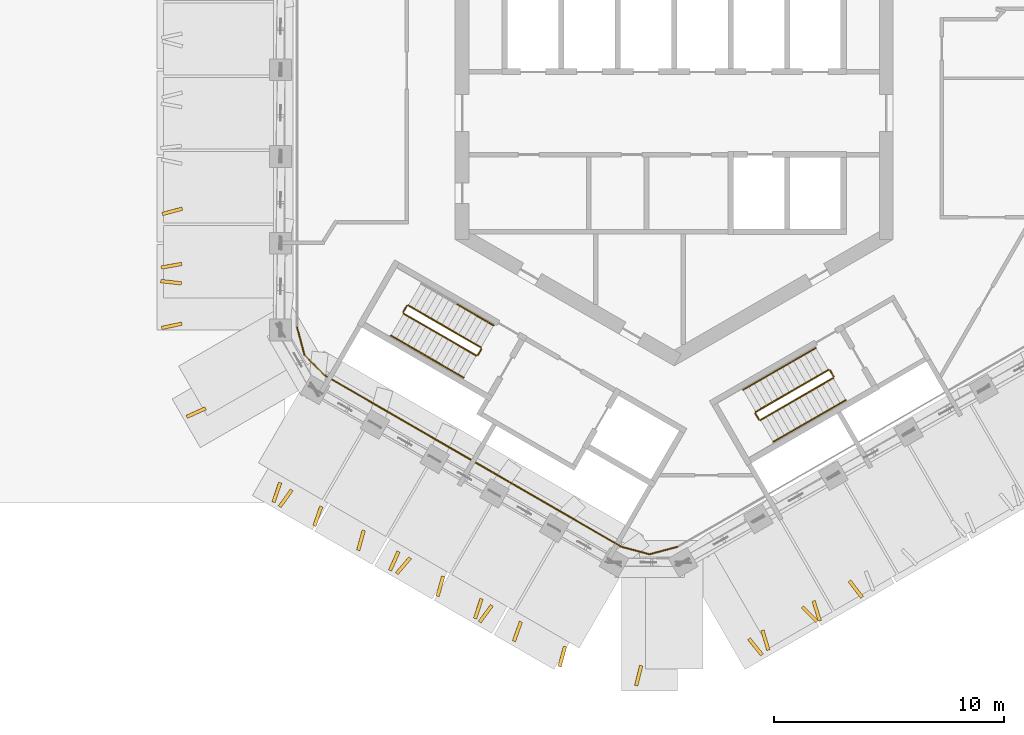
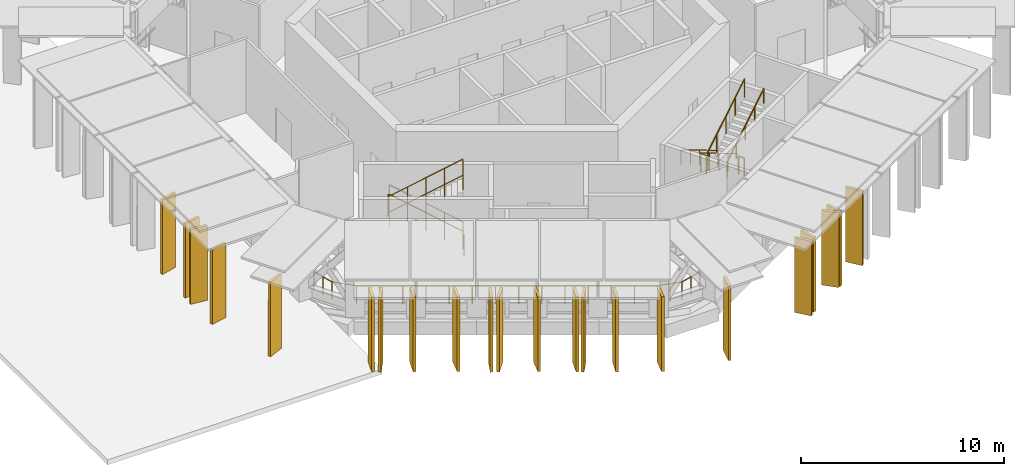
# One storey, part 13 of 15: 22 shading devices, 18 railings.
"""IFC4 building model written with IfcOpenShell, lengths in metres."""

from ifc_helpers import new_model, si_unit, direction, frame, origin, origin_2d, place, context, subcontext, project, spatial, polyline, circle, outline, extrude, material, layer, layer_set, type_object, element, save


model = new_model("IFC4")

# Units and contexts
model_context = context("Model", 3, precision=1e-05, world=origin(), true_north=direction((0.0, 1.0)))
body_context = subcontext(model_context, "Body", "Model", "MODEL_VIEW")
ifc_project = project(units=[si_unit("LENGTHUNIT", "METRE"), si_unit("AREAUNIT", "SQUARE_METRE"), si_unit("VOLUMEUNIT", "CUBIC_METRE"), si_unit("PLANEANGLEUNIT", "RADIAN"), si_unit("MASSUNIT", "GRAM", prefix="KILO")], contexts=[model_context])

# Site, building, storey
site_placement = place(None, origin())
site = spatial("IfcSite", under=ifc_project, at=site_placement, CompositionType="ELEMENT")
building_placement = place(site_placement, origin())
building = spatial("IfcBuilding", under=site, at=building_placement, Name="Ayvan Gate Tower", CompositionType="ELEMENT")
storey_placement = place(building_placement, frame((0.0, 0.0, 214.10009765625)))
storey = spatial("IfcBuildingStorey", under=building, at=storey_placement, Name="L57", CompositionType="ELEMENT", Elevation=214.10009765625)

# Shading devices
ifc_material_1 = material(Name="Bronze anodised aluminium", Category="aluminium")
ifc_layer = layer(ifc_material_1, 0.14990234375)
ifc_layer_set = layer_set([ifc_layer], Name="Bronze anodised aluminium")
shading_device_type = type_object("IfcShadingDeviceType", Name="Bronze fin 900 x 150", PredefinedType="USERDEFINED", material=ifc_layer_set)
shading_device_1_placement = place(storey_placement, frame((-21.359130859375, -4.074462890625, 0.0), z_axis=(-0.255534637969, 0.96679984047, 0.000342440773), x_axis=(-0.966799897156, -0.255534652952, 0.0)))
element("IfcShadingDevice", 1, at=shading_device_1_placement, inside=storey, type_object=shading_device_type, Name="Bronze fin FG21.3.27", ObjectType="FIN", PredefinedType="USERDEFINED", context=body_context, shape_type="SweptSolid", body=[
    extrude(outline(polyline([(0.0, 0.0), (0.8999971866563695, 0.0), (0.8998994347333715, 4.500000263847809), (-9.77519229980295e-05, 4.500000263847809), (0.0, 0.0)])), origin(), (0.0, 0.0, -1.0), 0.14990234375),
])
shading_device_2_placement = place(storey_placement, frame((-21.3798828125, -6.469970703125, 0.0), z_axis=(-0.174706061813, 0.984620576629, 0.000334732126), x_axis=(-0.98462063179, -0.174706071597, -7.931e-09)))
element("IfcShadingDevice", 2, at=shading_device_2_placement, inside=storey, type_object=shading_device_type, Name="Bronze fin FG21.3.29", ObjectType="FIN", PredefinedType="USERDEFINED", context=body_context, shape_type="SweptSolid", body=[
    extrude(outline(polyline([(0.0, 0.0), (0.9000692391375203, 6.776263578034403e-21), (0.8998443487512708, 4.50000025923947), (1.549551018370991e-05, 4.500000244964097), (0.0, 0.0)])), origin(), (0.0, 0.0, -1.0), 0.14990234375),
])
shading_device_3_placement = place(storey_placement, frame((-21.3720703125, -7.3125, 0.0), z_axis=(0.111488384301, 0.993765683425, 0.000326515749), x_axis=(-0.993765736399, 0.111488390243, 4.937e-09)))
element("IfcShadingDevice", 3, at=shading_device_3_placement, inside=storey, type_object=shading_device_type, Name="Bronze fin FG21.3.30", ObjectType="FIN", PredefinedType="USERDEFINED", context=body_context, shape_type="SweptSolid", body=[
    extrude(outline(polyline([(0.0, 0.0), (0.9001414517960219, 6.776263578034403e-21), (0.8999781609393387, 4.500000235435338), (7.932773130498417e-05, 4.500000244321522), (0.0, 0.0)])), origin(), (0.0, 0.0, -1.0), 0.14990234375),
])
shading_device_4_placement = place(storey_placement, frame((-21.373046875, -9.062255859375, 0.0), z_axis=(-0.206434260398, 0.978460416893, 0.000329709026), x_axis=(-0.978460470076, -0.206434271618, 0.0)))
element("IfcShadingDevice", 4, at=shading_device_4_placement, inside=storey, type_object=shading_device_type, Name="Bronze fin FG21.3.31", ObjectType="FIN", PredefinedType="USERDEFINED", context=body_context, shape_type="SweptSolid", body=[
    extrude(outline(polyline([(0.0, 0.0), (0.9000008291664543, -6.776263578034403e-21), (0.9000643411683182, 4.500000244593115), (6.351200186397581e-05, 4.500000244593115), (0.0, 0.0)])), origin(), (0.0, 0.0, -1.0), 0.14990234375),
])
shading_device_5_placement = place(storey_placement, frame((-20.35791015625, -12.7373046875, 0.0), z_axis=(-0.41381314239, 0.910361786864, 0.000316548183), x_axis=(-0.910361832469, -0.413813163134, 3.9083e-08)))
element("IfcShadingDevice", 5, at=shading_device_5_placement, inside=storey, type_object=shading_device_type, Name="Bronze fin FG21.4.32", ObjectType="FIN", PredefinedType="USERDEFINED", context=body_context, shape_type="SweptSolid", body=[
    extrude(outline(polyline([(0.0, 0.0), (0.9000618156029707, 0.0), (0.9001226218858508, 4.500000190276422), (0.00016183488716076374, 4.500000260627304), (0.0, 0.0)])), origin(), (0.0, 0.0, -1.0), 0.14990234375),
])
shading_device_6_placement = place(storey_placement, frame((-17.16748046875, -16.007568359375, 0.0), z_axis=(-0.94775694843, 0.318993180124, 0.000343127607), x_axis=(-0.318993198903, -0.947757004223, 0.0)))
element("IfcShadingDevice", 6, at=shading_device_6_placement, inside=storey, type_object=shading_device_type, Name="Bronze fin FG21.5.33", ObjectType="FIN", PredefinedType="USERDEFINED", context=body_context, shape_type="SweptSolid", body=[
    extrude(outline(polyline([(0.0, 0.0), (0.9000485777990384, 0.0), (0.9000440745800513, 4.500000264907272), (-4.503218986955051e-06, 4.500000264907272), (0.0, 0.0)])), origin(), (0.0, 0.0, -1.0), 0.14990234375),
])
shading_device_7_placement = place(storey_placement, frame((-16.654052734375, -16.30419921875, 0.0), z_axis=(-0.812659699148, 0.582738452268, 0.000331102598), x_axis=(-0.582738484204, -0.812659743698, 2.617e-08)))
element("IfcShadingDevice", 7, at=shading_device_7_placement, inside=storey, type_object=shading_device_type, Name="Bronze fin FG21.5.34", ObjectType="FIN", PredefinedType="USERDEFINED", context=body_context, shape_type="SweptSolid", body=[
    extrude(outline(polyline([(0.0, 0.0), (0.9000124160620114, 2.710505431213761e-20), (0.8998963929099021, 4.500000223115144), (8.238010562957443e-05, 4.500000270215964), (0.0, 0.0)])), origin(), (0.0, 0.0, -1.0), 0.14990234375),
])
shading_device_8_placement = place(storey_placement, frame((-15.384521484375, -17.039794921875, 0.0), z_axis=(-0.944309943833, 0.329057156527, 0.000343097546), x_axis=(-0.329057175894, -0.944309999414, 0.0)))
element("IfcShadingDevice", 8, at=shading_device_8_placement, inside=storey, type_object=shading_device_type, Name="Bronze fin FG21.5.35", ObjectType="FIN", PredefinedType="USERDEFINED", context=body_context, shape_type="SweptSolid", body=[
    extrude(outline(polyline([(0.0, 0.0), (0.8999730132613388, 1.3552527156068805e-20), (0.8999520847807383, 4.5000002648608595), (-2.092848060051113e-05, 4.5000002648608595), (0.0, 0.0)])), origin(), (0.0, 0.0, -1.0), 0.14990234375),
])
shading_device_9_placement = place(storey_placement, frame((-13.5439453125, -18.08251953125, 0.0), z_axis=(-0.964160238835, 0.265320403371, 0.000342643351), x_axis=(-0.265320418946, -0.964160295433, 0.0)))
element("IfcShadingDevice", 9, at=shading_device_9_placement, inside=storey, type_object=shading_device_type, Name="Bronze fin FG21.5.37", ObjectType="FIN", PredefinedType="USERDEFINED", context=body_context, shape_type="SweptSolid", body=[
    extrude(outline(polyline([(0.0, 0.0), (0.8999289696532402, 1.3552527156068805e-20), (0.9000110980900544, 4.500000264160072), (8.212843681425569e-05, 4.500000264160072), (0.0, 0.0)])), origin(), (0.0, 0.0, -1.0), 0.14990234375),
])
shading_device_10_placement = place(storey_placement, frame((-12.029296875, -18.9912109375, 0.0), z_axis=(-0.911888452753, 0.410437967876, 0.000352507901), x_axis=(-0.410437993383, -0.911888509406, -1.9627e-08)))
element("IfcShadingDevice", 10, at=shading_device_10_placement, inside=storey, type_object=shading_device_type, Name="Bronze fin FG21.5.39", ObjectType="FIN", PredefinedType="USERDEFINED", context=body_context, shape_type="SweptSolid", body=[
    extrude(outline(polyline([(0.0, 0.0), (0.8998657138925685, 1.3552527156068805e-20), (0.8999322851346038, 4.500000297251885), (-0.00015605778858149638, 4.5000002619246064), (0.0, 0.0)])), origin(), (0.0, 0.0, -1.0), 0.14990234375),
])
shading_device_11_placement = place(storey_placement, frame((-11.511474609375, -19.24560546875, 0.0), z_axis=(-0.760652675022, 0.649159005466, 0.000305948715), x_axis=(-0.649159035848, -0.760652710622, 0.0)))
element("IfcShadingDevice", 11, at=shading_device_11_placement, inside=storey, type_object=shading_device_type, Name="Bronze fin FG21.5.40", ObjectType="FIN", PredefinedType="USERDEFINED", context=body_context, shape_type="SweptSolid", body=[
    extrude(outline(polyline([(0.0, 0.0), (0.8999774837326424, 0.0), (0.9000863642744136, 4.500000210610401), (0.00010888054177125644, 4.500000210610401), (0.0, 0.0)])), origin(), (0.0, 0.0, -1.0), 0.14990234375),
])
shading_device_12_placement = place(storey_placement, frame((-10.09521484375, -20.07568359375, 0.0), z_axis=(-0.962581258351, 0.270993004676, 0.000335393721), x_axis=(-0.270993019914, -0.962581312492, 1.2326e-08)))
element("IfcShadingDevice", 12, at=shading_device_12_placement, inside=storey, type_object=shading_device_type, Name="Bronze fin FG21.5.41", ObjectType="FIN", PredefinedType="USERDEFINED", context=body_context, shape_type="SweptSolid", body=[
    extrude(outline(polyline([(0.0, 0.0), (0.9001277111636908, -1.3552527156068805e-20), (0.899965809402009, 4.500000242007258), (7.310344156306313e-05, 4.500000264194146), (0.0, 0.0)])), origin(), (0.0, 0.0, -1.0), 0.14990234375),
])
shading_device_13_placement = place(storey_placement, frame((-8.430419921875, -21.050537109375, 0.0), z_axis=(-0.949345697488, 0.314233425869, 0.000317375661), x_axis=(-0.314233441682, -0.949345745305, 4.0864e-08)))
element("IfcShadingDevice", 13, at=shading_device_13_placement, inside=storey, type_object=shading_device_type, Name="Bronze fin FG21.5.43", ObjectType="FIN", PredefinedType="USERDEFINED", context=body_context, shape_type="SweptSolid", body=[
    extrude(outline(polyline([(0.0, 0.0), (0.9000469809656285, 1.3552527156068805e-20), (0.9001271268374368, 4.500000189853503), (3.4287229599951886e-06, 4.500000263416021), (0.0, 0.0)])), origin(), (0.0, 0.0, -1.0), 0.14990234375),
])
shading_device_14_placement = place(storey_placement, frame((-7.97119140625, -21.314453125, 0.0), z_axis=(-0.806383389765, 0.591393032696, 0.000331043433), x_axis=(-0.591393065094, -0.806383433956, 2.6552e-08)))
element("IfcShadingDevice", 14, at=shading_device_14_placement, inside=storey, type_object=shading_device_type, Name="Bronze fin FG21.5.44", ObjectType="FIN", PredefinedType="USERDEFINED", context=body_context, shape_type="SweptSolid", body=[
    extrude(outline(polyline([(0.0, 0.0), (0.9000524489883313, 0.0), (0.8999212659780351, 4.500000222681919), (6.56879452595283e-05, 4.500000270473759), (0.0, 0.0)])), origin(), (0.0, 0.0, -1.0), 0.14990234375),
])
shading_device_15_placement = place(storey_placement, frame((-6.721435546875, -22.043701171875, 0.0), z_axis=(-0.940669337866, 0.339324492985, 0.000291991953), x_axis=(-0.33932450745, -0.940669377967, 0.0)))
element("IfcShadingDevice", 15, at=shading_device_15_placement, inside=storey, type_object=shading_device_type, Name="Bronze fin FG21.5.45", ObjectType="FIN", PredefinedType="USERDEFINED", context=body_context, shape_type="SweptSolid", body=[
    extrude(outline(polyline([(0.0, 0.0), (0.9000821195331172, 0.0), (0.9001272162661944, 4.50000019183344), (4.509673307708403e-05, 4.50000019183344), (0.0, 0.0)])), origin(), (0.0, 0.0, -1.0), 0.14990234375),
])
shading_device_16_placement = place(storey_placement, frame((-4.811279296875, -23.123779296875, 0.0), z_axis=(-0.964613369039, 0.263668221233, 0.000342611581), x_axis=(-0.263668236708, -0.964613425654, 0.0)))
element("IfcShadingDevice", 16, at=shading_device_16_placement, inside=storey, type_object=shading_device_type, Name="Bronze fin FG21.5.47", ObjectType="FIN", PredefinedType="USERDEFINED", context=body_context, shape_type="SweptSolid", body=[
    extrude(outline(polyline([(0.0, 0.0), (0.9000124188731934, 0.0), (0.9000971887538225, 4.500000264111088), (8.476988062900207e-05, 4.500000264111088), (0.0, 0.0)])), origin(), (0.0, 0.0, -1.0), 0.14990234375),
])
shading_device_17_placement = place(storey_placement, frame((-1.505859375, -23.951416015625, 0.0), z_axis=(-0.970548018341, 0.240907516502, 0.000335538704), x_axis=(-0.240907530067, -0.970548072976, -1.0966e-08)))
element("IfcShadingDevice", 17, at=shading_device_17_placement, inside=storey, type_object=shading_device_type, Name="Bronze fin FG21.6.48", ObjectType="FIN", PredefinedType="USERDEFINED", context=body_context, shape_type="SweptSolid", body=[
    extrude(outline(polyline([(0.0, 0.0), (0.8997989120444077, -1.3552527156068805e-20), (0.8999198712328588, 4.500000263187755), (-0.00011599102467772165, 4.5000002434503426), (0.0, 0.0)])), origin(), (0.0, 0.0, -1.0), 0.14990234375),
])
shading_device_18_placement = place(storey_placement, frame((3.183837890625, -22.853271484375, 0.0), z_axis=(-0.778613942845, -0.627503153241, 0.000347389449), x_axis=(0.627503191104, -0.778613989827, 0.0)))
element("IfcShadingDevice", 18, at=shading_device_18_placement, inside=storey, type_object=shading_device_type, Name="Bronze fin FG21.7.49", ObjectType="FIN", PredefinedType="USERDEFINED", context=body_context, shape_type="SweptSolid", body=[
    extrude(outline(polyline([(0.0, 0.0), (0.8999113847233887, -2.710505431213761e-20), (0.899917014605277, 4.500000271528742), (5.629881888276843e-06, 4.500000271528742), (0.0, 0.0)])), origin(), (0.0, 0.0, -1.0), 0.14990234375),
])
shading_device_19_placement = place(storey_placement, frame((3.756591796875, -22.461669921875, 0.0), z_axis=(-0.958975757064, -0.283487882923, 0.000342926992), x_axis=(0.283487899592, -0.958975813452, 0.0)))
element("IfcShadingDevice", 19, at=shading_device_19_placement, inside=storey, type_object=shading_device_type, Name="Bronze fin FG21.7.50", ObjectType="FIN", PredefinedType="USERDEFINED", context=body_context, shape_type="SweptSolid", body=[
    extrude(outline(polyline([(0.0, 0.0), (0.8999571180724123, 1.3552527156068805e-20), (0.899904133641418, 4.500000264597597), (-5.2984430994273026e-05, 4.500000264597597), (0.0, 0.0)])), origin(), (0.0, 0.0, -1.0), 0.14990234375),
])
shading_device_20_placement = place(storey_placement, frame((5.511962890625, -21.47998046875, 0.0), z_axis=(-0.707445737129, -0.706767587458, 0.000326094627), x_axis=(0.706767625028, -0.70744577475, -3.1292e-08)))
element("IfcShadingDevice", 20, at=shading_device_20_placement, inside=storey, type_object=shading_device_type, Name="Bronze fin FG21.7.51", ObjectType="FIN", PredefinedType="USERDEFINED", context=body_context, shape_type="SweptSolid", body=[
    extrude(outline(polyline([(0.0, 0.0), (0.8999385360710794, 0.0), (0.9001102836909809, 4.500000267426156), (-8.030698026680217e-07, 4.500000211098914), (0.0, 0.0)])), origin(), (0.0, 0.0, -1.0), 0.14990234375),
])
shading_device_21_placement = place(storey_placement, frame((5.97412109375, -21.1884765625, 0.0), z_axis=(-0.954610157706, -0.29785790087, 0.000343065145), x_axis=(0.297857918398, -0.954610213882, 0.0)))
element("IfcShadingDevice", 21, at=shading_device_21_placement, inside=storey, type_object=shading_device_type, Name="Bronze fin FG21.7.52", ObjectType="FIN", PredefinedType="USERDEFINED", context=body_context, shape_type="SweptSolid", body=[
    extrude(outline(polyline([(0.0, 0.0), (0.8999807951785506, 1.3552527156068805e-20), (0.8999509922202068, 4.500000264810835), (-2.980295834379939e-05, 4.500000264810835), (0.0, 0.0)])), origin(), (0.0, 0.0, -1.0), 0.14990234375),
])
shading_device_22_placement = place(storey_placement, frame((7.541015625, -20.34130859375, 0.0), z_axis=(-0.792598736895, -0.609743508873, 0.00030928801), x_axis=(0.609743538022, -0.792598774816, -5.8833e-08)))
element("IfcShadingDevice", 22, at=shading_device_22_placement, inside=storey, type_object=shading_device_type, Name="Bronze fin FG21.7.53", ObjectType="FIN", PredefinedType="USERDEFINED", context=body_context, shape_type="SweptSolid", body=[
    extrude(outline(polyline([(0.0, 0.0), (0.8999187866086098, 2.710505431213761e-20), (0.8998888154596564, 4.5000002681764455), (1.4671242841917172e-05, 4.500000162288529), (0.0, 0.0)])), origin(), (0.0, 0.0, -1.0), 0.14990234375),
])

# Railings
ifc_material_2 = material(Name="Stainless steel balustrade", Category="steel")
railing_type_1 = type_object("IfcRailingType", Name="RL-GUARD-1100", PredefinedType="GUARDRAIL", material=ifc_material_2)
railing_1_placement = place(storey_placement, frame((-8.381103515625, -10.16650390625, 0.17138671875)))
element("IfcRailing", 23, at=railing_1_placement, inside=storey, type_object=railing_type_1, Name="L57 STS2 stair guard 1", PredefinedType="GUARDRAIL", context=body_context, shape_type="SweptSolid", body=[
    extrude(circle(Radius=0.02392578125, at=origin_2d()), frame((0.0, 0.0, 1.076171875), z_axis=(-0.738592093898, 0.426440834883, 0.522139764025), x_axis=(-0.500012742938, -0.866018046521, 0.0)), (0.0, 0.0, 1.0), 4.26806640625),
    extrude(circle(Radius=0.02099609375, at=origin_2d()), origin(), (0.0, 0.0, 1.0), 1.052001953125),
    extrude(circle(Radius=0.02099609375, at=origin_2d()), frame((-0.7880859375, 0.455078125, 0.55712890625)), (0.0, 0.0, 1.0), 1.052001953125),
    extrude(circle(Radius=0.02099609375, at=origin_2d()), frame((-1.576171875, 0.91015625, 1.1142578125)), (0.0, 0.0, 1.0), 1.052001953125),
    extrude(circle(Radius=0.02099609375, at=origin_2d()), frame((-2.3642578125, 1.364990234375, 1.67138671875)), (0.0, 0.0, 1.0), 1.052001953125),
    extrude(circle(Radius=0.02099609375, at=origin_2d()), frame((-3.15234375, 1.820068359375, 2.228515625)), (0.0, 0.0, 1.0), 1.052001953125),
])
railing_2_placement = place(storey_placement, frame((-11.601806640625, -8.36474609375, 2.39990234375)))
element("IfcRailing", 24, at=railing_2_placement, inside=storey, type_object=railing_type_1, Name="L57 STS2 stair guard 2", PredefinedType="GUARDRAIL", context=body_context, shape_type="SweptSolid", body=[
    extrude(circle(Radius=0.02392578125, at=origin_2d()), frame((0.0, 0.0, 1.076171875), z_axis=(-0.499949632511, -0.866054481515, 0.0), x_axis=(0.866054481515, -0.499949632511, 0.0)), (0.0, 0.0, 1.0), 0.31005859375),
    extrude(circle(Radius=0.02099609375, at=origin_2d()), origin(), (0.0, 0.0, 1.0), 1.052001953125),
    extrude(circle(Radius=0.02099609375, at=origin_2d()), frame((-0.155029296875, -0.2685546875, 0.0)), (0.0, 0.0, 1.0), 1.052001953125),
])
railing_3_placement = place(storey_placement, frame((-11.738525390625, -8.70166015625, 2.5712890625)))
element("IfcRailing", 25, at=railing_3_placement, inside=storey, type_object=railing_type_1, Name="L57 STS2 stair guard 3", PredefinedType="GUARDRAIL", context=body_context, shape_type="SweptSolid", body=[
    extrude(circle(Radius=0.02392578125, at=origin_2d()), frame((0.0, 0.0, 1.076171875), z_axis=(0.738610110021, -0.426394033464, 0.52215250033), x_axis=(0.499962438169, 0.866047089031, 0.0)), (0.0, 0.0, 1.0), 4.267822265625),
    extrude(circle(Radius=0.02099609375, at=origin_2d()), origin(), (0.0, 0.0, 1.0), 1.052001953125),
    extrude(circle(Radius=0.02099609375, at=origin_2d()), frame((0.7880859375, -0.455078125, 0.55712890625)), (0.0, 0.0, 1.0), 1.052001953125),
    extrude(circle(Radius=0.02099609375, at=origin_2d()), frame((1.576171875, -0.909912109375, 1.1142578125)), (0.0, 0.0, 1.0), 1.052001953125),
    extrude(circle(Radius=0.02099609375, at=origin_2d()), frame((2.3642578125, -1.36474609375, 1.67138671875)), (0.0, 0.0, 1.0), 1.052001953125),
    extrude(circle(Radius=0.02099609375, at=origin_2d()), frame((3.15234375, -1.81982421875, 2.228515625)), (0.0, 0.0, 1.0), 1.052001953125),
])
railing_4_placement = place(storey_placement, frame((-8.36279296875, -10.23486328125, 0.0)))
element("IfcRailing", 26, at=railing_4_placement, inside=storey, type_object=railing_type_1, Name="L57 STS2 stair guard 4", PredefinedType="GUARDRAIL", context=body_context, shape_type="SweptSolid", body=[
    extrude(circle(Radius=0.02392578125, at=origin_2d()), frame((0.0, 0.0, 1.076171875), z_axis=(-0.500290723946, -0.86585748916, 0.0), x_axis=(0.86585748916, -0.500290723946, 0.0)), (0.0, 0.0, 1.0), 0.309814453125),
    extrude(circle(Radius=0.02099609375, at=origin_2d()), origin(), (0.0, 0.0, 1.0), 1.052001953125),
    extrude(circle(Radius=0.02099609375, at=origin_2d()), frame((-0.155029296875, -0.268310546875, 0.0)), (0.0, 0.0, 1.0), 1.052001953125),
])
railing_5_placement = place(storey_placement, frame((6.6923828125, -11.1416015625, 0.17138671875)))
element("IfcRailing", 27, at=railing_5_placement, inside=storey, type_object=railing_type_1, Name="L57 STS3 stair guard 1", PredefinedType="GUARDRAIL", context=body_context, shape_type="SweptSolid", body=[
    extrude(circle(Radius=0.02392578125, at=origin_2d()), frame((0.0, 0.0, 1.076171875), z_axis=(-0.738610110021, -0.426394033464, 0.52215250033), x_axis=(0.499962438169, -0.866047089031, 0.0)), (0.0, 0.0, 1.0), 4.267822265625),
    extrude(circle(Radius=0.02099609375, at=origin_2d()), origin(), (0.0, 0.0, 1.0), 1.052001953125),
    extrude(circle(Radius=0.02099609375, at=origin_2d()), frame((-0.7880859375, -0.455078125, 0.55712890625)), (0.0, 0.0, 1.0), 1.052001953125),
    extrude(circle(Radius=0.02099609375, at=origin_2d()), frame((-1.576171875, -0.909912109375, 1.1142578125)), (0.0, 0.0, 1.0), 1.052001953125),
    extrude(circle(Radius=0.02099609375, at=origin_2d()), frame((-2.3642578125, -1.36474609375, 1.67138671875)), (0.0, 0.0, 1.0), 1.052001953125),
    extrude(circle(Radius=0.02099609375, at=origin_2d()), frame((-3.15234375, -1.81982421875, 2.228515625)), (0.0, 0.0, 1.0), 1.052001953125),
])
railing_6_placement = place(storey_placement, frame((3.521728515625, -13.02978515625, 2.39990234375)))
element("IfcRailing", 28, at=railing_6_placement, inside=storey, type_object=railing_type_1, Name="L57 STS3 stair guard 2", PredefinedType="GUARDRAIL", context=body_context, shape_type="SweptSolid", body=[
    extrude(circle(Radius=0.02392578125, at=origin_2d()), frame((0.0, 0.0, 1.076171875), z_axis=(0.499949632511, -0.866054481515, 0.0), x_axis=(0.866054481515, 0.499949632511, 0.0)), (0.0, 0.0, 1.0), 0.31005859375),
    extrude(circle(Radius=0.02099609375, at=origin_2d()), origin(), (0.0, 0.0, 1.0), 1.052001953125),
    extrude(circle(Radius=0.02099609375, at=origin_2d()), frame((0.155029296875, -0.2685546875, 0.0)), (0.0, 0.0, 1.0), 1.052001953125),
])
railing_7_placement = place(storey_placement, frame((3.7451171875, -13.316650390625, 2.5712890625)))
element("IfcRailing", 29, at=railing_7_placement, inside=storey, type_object=railing_type_1, Name="L57 STS3 stair guard 3", PredefinedType="GUARDRAIL", context=body_context, shape_type="SweptSolid", body=[
    extrude(circle(Radius=0.02392578125, at=origin_2d()), frame((0.0, 0.0, 1.076171875), z_axis=(0.738592093898, 0.426440834883, 0.522139764025), x_axis=(-0.500012742938, 0.866018046521, 0.0)), (0.0, 0.0, 1.0), 4.26806640625),
    extrude(circle(Radius=0.02099609375, at=origin_2d()), origin(), (0.0, 0.0, 1.0), 1.052001953125),
    extrude(circle(Radius=0.02099609375, at=origin_2d()), frame((0.7880859375, 0.455078125, 0.55712890625)), (0.0, 0.0, 1.0), 1.052001953125),
    extrude(circle(Radius=0.02099609375, at=origin_2d()), frame((1.576171875, 0.91015625, 1.1142578125)), (0.0, 0.0, 1.0), 1.052001953125),
    extrude(circle(Radius=0.02099609375, at=origin_2d()), frame((2.3642578125, 1.364990234375, 1.67138671875)), (0.0, 0.0, 1.0), 1.052001953125),
    extrude(circle(Radius=0.02099609375, at=origin_2d()), frame((3.15234375, 1.820068359375, 2.228515625)), (0.0, 0.0, 1.0), 1.052001953125),
])
railing_8_placement = place(storey_placement, frame((6.7607421875, -11.159912109375, 0.0)))
element("IfcRailing", 30, at=railing_8_placement, inside=storey, type_object=railing_type_1, Name="L57 STS3 stair guard 4", PredefinedType="GUARDRAIL", context=body_context, shape_type="SweptSolid", body=[
    extrude(circle(Radius=0.02392578125, at=origin_2d()), frame((0.0, 0.0, 1.076171875), z_axis=(0.500290723946, -0.86585748916, 0.0), x_axis=(0.86585748916, 0.500290723946, 0.0)), (0.0, 0.0, 1.0), 0.309814453125),
    extrude(circle(Radius=0.02099609375, at=origin_2d()), origin(), (0.0, 0.0, 1.0), 1.052001953125),
    extrude(circle(Radius=0.02099609375, at=origin_2d()), frame((0.155029296875, -0.268310546875, 0.0)), (0.0, 0.0, 1.0), 1.052001953125),
])
railing_type_2 = type_object("IfcRailingType", Name="RL-HANDRAIL-900", PredefinedType="HANDRAIL", material=ifc_material_2)
railing_9_placement = place(storey_placement, frame((-7.8310546875, -9.2138671875, 0.17138671875)))
element("IfcRailing", 31, at=railing_9_placement, inside=storey, type_object=railing_type_2, Name="L57 STS2 stair handrail 1", PredefinedType="HANDRAIL", context=body_context, shape_type="SweptSolid", body=[
    extrude(circle(Radius=0.02392578125, at=origin_2d()), frame((0.0, 0.0, 0.8759765625), z_axis=(-0.738610110021, 0.426394033464, 0.52215250033), x_axis=(-0.499962438169, -0.866047089031, 0.0)), (0.0, 0.0, 1.0), 2.134033203125),
    extrude(circle(Radius=0.02099609375, at=origin_2d()), origin(), (0.0, 0.0, 1.0), 0.851806640625),
    extrude(circle(Radius=0.02099609375, at=origin_2d()), frame((-0.7880859375, 0.455078125, 0.55712890625)), (0.0, 0.0, 1.0), 0.851806640625),
    extrude(circle(Radius=0.02099609375, at=origin_2d()), frame((-1.576171875, 0.909912109375, 1.1142578125)), (0.0, 0.0, 1.0), 0.851806640625),
])
for number, where, name in (
    (32, (-12.288330078125, -9.654296875, 2.5712890625), "L57 STS2 stair handrail 3"),
    (33, (-10.712158203125, -10.564208984375, 3.685546875), "L57 STS2 stair handrail 4"),
):
    element("IfcRailing", number, at=place(storey_placement, frame(where)), inside=storey, type_object=railing_type_2, Name=name, PredefinedType="HANDRAIL", context=body_context, shape_type="SweptSolid", body=[
        extrude(circle(Radius=0.02392578125, at=origin_2d()), frame((0.0, 0.0, 0.8759765625), z_axis=(0.738610110021, -0.426394033464, 0.52215250033), x_axis=(0.499962438169, 0.866047089031, 0.0)), (0.0, 0.0, 1.0), 2.134033203125),
        extrude(circle(Radius=0.02099609375, at=origin_2d()), origin(), (0.0, 0.0, 1.0), 0.851806640625),
        extrude(circle(Radius=0.02099609375, at=origin_2d()), frame((0.7880859375, -0.455078125, 0.55712890625)), (0.0, 0.0, 1.0), 0.851806640625),
        extrude(circle(Radius=0.02099609375, at=origin_2d()), frame((1.576171875, -0.909912109375, 1.1142578125)), (0.0, 0.0, 1.0), 0.851806640625),
    ])
for number, where, name in (
    (34, (6.142333984375, -10.18896484375, 0.17138671875), "L57 STS3 stair handrail 1"),
    (35, (4.566162109375, -11.098876953125, 1.28564453125), "L57 STS3 stair handrail 2"),
):
    element("IfcRailing", number, at=place(storey_placement, frame(where)), inside=storey, type_object=railing_type_2, Name=name, PredefinedType="HANDRAIL", context=body_context, shape_type="SweptSolid", body=[
        extrude(circle(Radius=0.02392578125, at=origin_2d()), frame((0.0, 0.0, 0.8759765625), z_axis=(-0.738610110021, -0.426394033464, 0.52215250033), x_axis=(0.499962438169, -0.866047089031, 0.0)), (0.0, 0.0, 1.0), 2.134033203125),
        extrude(circle(Radius=0.02099609375, at=origin_2d()), origin(), (0.0, 0.0, 1.0), 0.851806640625),
        extrude(circle(Radius=0.02099609375, at=origin_2d()), frame((-0.7880859375, -0.455078125, 0.55712890625)), (0.0, 0.0, 1.0), 0.851806640625),
        extrude(circle(Radius=0.02099609375, at=origin_2d()), frame((-1.576171875, -0.909912109375, 1.1142578125)), (0.0, 0.0, 1.0), 0.851806640625),
    ])
railing_10_placement = place(storey_placement, frame((4.294921875, -14.269287109375, 2.5712890625)))
element("IfcRailing", 36, at=railing_10_placement, inside=storey, type_object=railing_type_2, Name="L57 STS3 stair handrail 3", PredefinedType="HANDRAIL", context=body_context, shape_type="SweptSolid", body=[
    extrude(circle(Radius=0.02392578125, at=origin_2d()), frame((0.0, 0.0, 0.8759765625), z_axis=(0.738574076676, 0.426487632876, 0.522127026944), x_axis=(-0.500063042646, 0.865989003036, 0.0)), (0.0, 0.0, 1.0), 2.134033203125),
    extrude(circle(Radius=0.02099609375, at=origin_2d()), origin(), (0.0, 0.0, 1.0), 0.851806640625),
    extrude(circle(Radius=0.02099609375, at=origin_2d()), frame((0.7880859375, 0.455078125, 0.55712890625)), (0.0, 0.0, 1.0), 0.851806640625),
    extrude(circle(Radius=0.02099609375, at=origin_2d()), frame((1.576171875, 0.91015625, 1.1142578125)), (0.0, 0.0, 1.0), 0.851806640625),
])
railing_11_placement = place(storey_placement, frame((5.87109375, -13.359130859375, 3.685546875)))
element("IfcRailing", 37, at=railing_11_placement, inside=storey, type_object=railing_type_2, Name="L57 STS3 stair handrail 4", PredefinedType="HANDRAIL", context=body_context, shape_type="SweptSolid", body=[
    extrude(circle(Radius=0.02392578125, at=origin_2d()), frame((0.0, 0.0, 0.8759765625), z_axis=(0.738610110021, 0.426394033464, 0.52215250033), x_axis=(-0.499962438169, 0.866047089031, 0.0)), (0.0, 0.0, 1.0), 2.134033203125),
    extrude(circle(Radius=0.02099609375, at=origin_2d()), origin(), (0.0, 0.0, 1.0), 0.851806640625),
    extrude(circle(Radius=0.02099609375, at=origin_2d()), frame((0.7880859375, 0.455078125, 0.55712890625)), (0.0, 0.0, 1.0), 0.851806640625),
    extrude(circle(Radius=0.02099609375, at=origin_2d()), frame((1.576171875, 0.909912109375, 1.1142578125)), (0.0, 0.0, 1.0), 0.851806640625),
])
ifc_material_3 = material(Name="Stainless steel 316 and laminated glass", Category="steel")
railing_type_3 = type_object("IfcRailingType", Name="Refuge band guard 1100", PredefinedType="GUARDRAIL", material=ifc_material_3)
railing_12_placement = place(storey_placement, frame((-16.36474609375, -9.2880859375, 0.0)))
element("IfcRailing", 38, at=railing_12_placement, inside=storey, type_object=railing_type_3, Name="Refuge band guard L57.4", PredefinedType="GUARDRAIL", context=body_context, shape_type="SweptSolid", body=[
    extrude(circle(Radius=0.02490234375, at=origin_2d()), frame((0.0, 0.0, 1.0751953125), z_axis=(0.258729592934, -0.965949790486, 0.0), x_axis=(0.965949790486, 0.258729592934, 0.0)), (0.0, 0.0, 1.0), 1.253173828125),
    extrude(circle(Radius=0.02490234375, at=origin_2d()), frame((0.32421875, -1.21044921875, 1.0751953125), z_axis=(0.707106781187, -0.707106781187, 0.0), x_axis=(0.707106781187, 0.707106781187, 0.0)), (0.0, 0.0, 1.0), 1.25341796875),
    extrude(circle(Radius=0.02001953125, at=origin_2d()), origin(), (0.0, 0.0, 1.0), 1.050048828125),
    extrude(circle(Radius=0.02001953125, at=origin_2d()), frame((0.162109375, -0.605224609375, 0.0)), (0.0, 0.0, 1.0), 1.050048828125),
    extrude(circle(Radius=0.02001953125, at=origin_2d()), frame((0.32421875, -1.21044921875, 0.0)), (0.0, 0.0, 1.0), 1.050048828125),
    extrude(circle(Radius=0.02001953125, at=origin_2d()), frame((0.767333984375, -1.653564453125, 0.0)), (0.0, 0.0, 1.0), 1.050048828125),
    extrude(circle(Radius=0.02001953125, at=origin_2d()), frame((1.21044921875, -2.0966796875, 0.0)), (0.0, 0.0, 1.0), 1.050048828125),
])
railing_13_placement = place(storey_placement, frame((-15.154296875, -11.384765625, 0.0)))
element("IfcRailing", 39, at=railing_13_placement, inside=storey, type_object=railing_type_3, Name="Refuge band guard L57.5", PredefinedType="GUARDRAIL", context=body_context, shape_type="SweptSolid", body=[
    extrude(circle(Radius=0.02490234375, at=origin_2d()), frame((0.0, 0.0, 1.0751953125), z_axis=(0.866026937189, -0.499997344056, 0.0), x_axis=(0.499997344056, 0.866026937189, 0.0)), (0.0, 0.0, 1.0), 14.86328125),
    extrude(circle(Radius=0.02001953125, at=origin_2d()), origin(), (0.0, 0.0, 1.0), 1.050048828125),
    extrude(circle(Radius=0.02001953125, at=origin_2d()), frame((0.990234375, -0.57177734375, 0.0)), (0.0, 0.0, 1.0), 1.050048828125),
    extrude(circle(Radius=0.02001953125, at=origin_2d()), frame((1.980224609375, -1.143310546875, 0.0)), (0.0, 0.0, 1.0), 1.050048828125),
    extrude(circle(Radius=0.02001953125, at=origin_2d()), frame((2.970458984375, -1.715087890625, 0.0)), (0.0, 0.0, 1.0), 1.050048828125),
    extrude(circle(Radius=0.02001953125, at=origin_2d()), frame((3.960693359375, -2.28662109375, 0.0)), (0.0, 0.0, 1.0), 1.050048828125),
    extrude(circle(Radius=0.02001953125, at=origin_2d()), frame((4.95068359375, -2.8583984375, 0.0)), (0.0, 0.0, 1.0), 1.050048828125),
    extrude(circle(Radius=0.02001953125, at=origin_2d()), frame((5.94091796875, -3.429931640625, 0.0)), (0.0, 0.0, 1.0), 1.050048828125),
    extrude(circle(Radius=0.02001953125, at=origin_2d()), frame((6.93115234375, -4.001708984375, 0.0)), (0.0, 0.0, 1.0), 1.050048828125),
    extrude(circle(Radius=0.02001953125, at=origin_2d()), frame((7.92138671875, -4.5732421875, 0.0)), (0.0, 0.0, 1.0), 1.050048828125),
    extrude(circle(Radius=0.02001953125, at=origin_2d()), frame((8.911376953125, -5.14501953125, 0.0)), (0.0, 0.0, 1.0), 1.050048828125),
    extrude(circle(Radius=0.02001953125, at=origin_2d()), frame((9.901611328125, -5.716552734375, 0.0)), (0.0, 0.0, 1.0), 1.050048828125),
    extrude(circle(Radius=0.02001953125, at=origin_2d()), frame((10.891845703125, -6.288330078125, 0.0)), (0.0, 0.0, 1.0), 1.050048828125),
    extrude(circle(Radius=0.02001953125, at=origin_2d()), frame((11.8818359375, -6.85986328125, 0.0)), (0.0, 0.0, 1.0), 1.050048828125),
    extrude(circle(Radius=0.02001953125, at=origin_2d()), frame((12.8720703125, -7.431640625, 0.0)), (0.0, 0.0, 1.0), 1.050048828125),
])
railing_14_placement = place(storey_placement, frame((-2.2822265625, -18.81640625, 0.0)))
element("IfcRailing", 40, at=railing_14_placement, inside=storey, type_object=railing_type_3, Name="Refuge band guard L57.6", PredefinedType="GUARDRAIL", context=body_context, shape_type="SweptSolid", body=[
    extrude(circle(Radius=0.02490234375, at=origin_2d()), frame((0.0, 0.0, 1.0751953125), z_axis=(0.965949790486, -0.258729592934, 0.0), x_axis=(0.258729592934, 0.965949790486, 0.0)), (0.0, 0.0, 1.0), 1.253173828125),
    extrude(circle(Radius=0.02490234375, at=origin_2d()), frame((1.21044921875, -0.32421875, 1.0751953125), z_axis=(0.965949790486, 0.258729592934, 0.0), x_axis=(-0.258729592934, 0.965949790486, 0.0)), (0.0, 0.0, 1.0), 1.253173828125),
    extrude(circle(Radius=0.02001953125, at=origin_2d()), origin(), (0.0, 0.0, 1.0), 1.050048828125),
    extrude(circle(Radius=0.02001953125, at=origin_2d()), frame((0.605224609375, -0.162109375, 0.0)), (0.0, 0.0, 1.0), 1.050048828125),
    extrude(circle(Radius=0.02001953125, at=origin_2d()), frame((1.21044921875, -0.32421875, 0.0)), (0.0, 0.0, 1.0), 1.050048828125),
    extrude(circle(Radius=0.02001953125, at=origin_2d()), frame((1.815673828125, -0.162109375, 0.0)), (0.0, 0.0, 1.0), 1.050048828125),
    extrude(circle(Radius=0.02001953125, at=origin_2d()), frame((2.4208984375, 0.0, 0.0)), (0.0, 0.0, 1.0), 1.050048828125),
])

save(model, "model.ifc")
